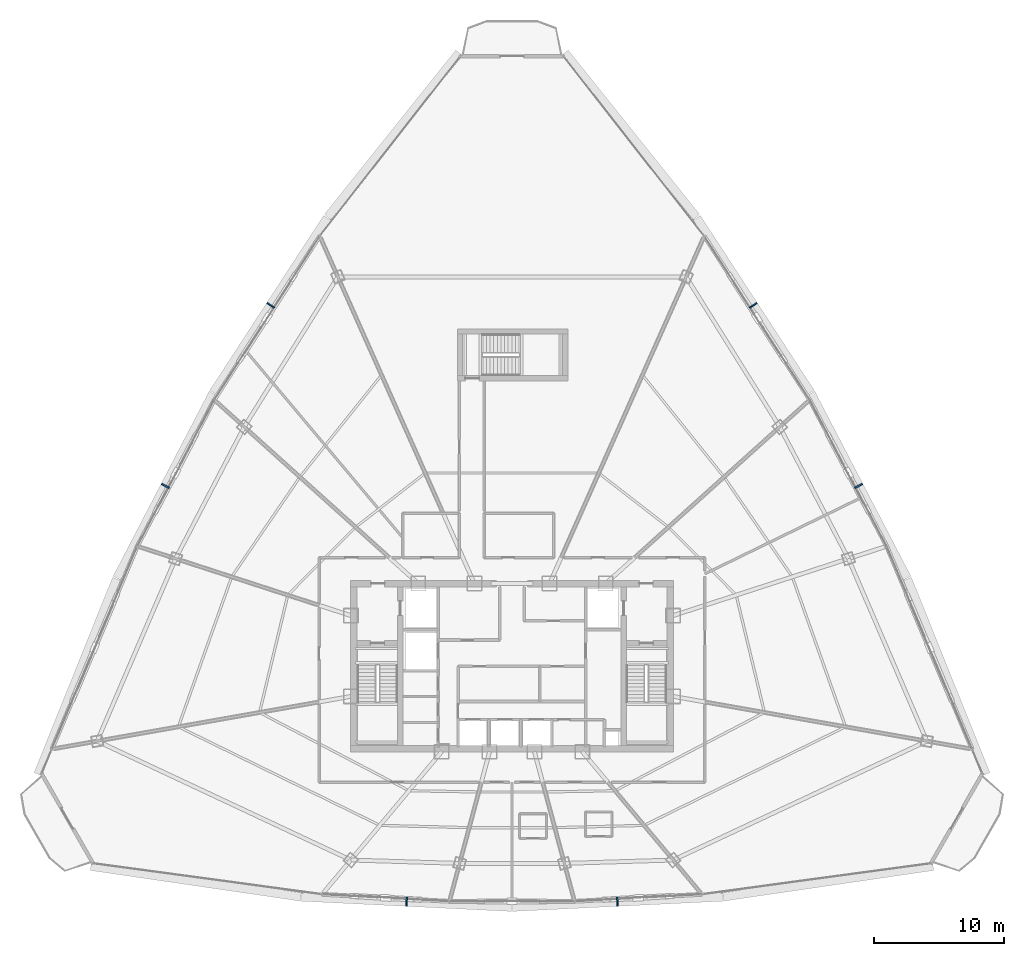
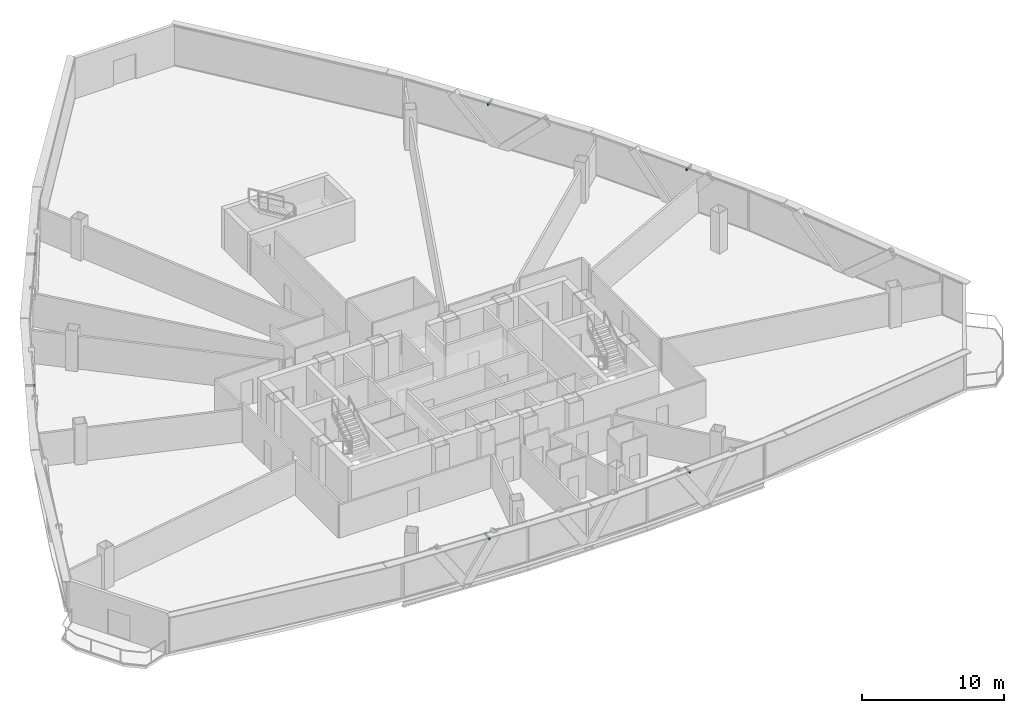
# One storey, part 30 of 34: 6 discrete accessories.
"""IFC4 building model written with IfcOpenShell, lengths in metres."""

from ifc_helpers import new_model, si_unit, direction, frame, origin, origin_2d, place, context, subcontext, project, spatial, rectangle, extrude, source, transform, mapped, material, type_object, element, save


model = new_model("IFC4")

# Units and contexts
model_context = context("Model", 3, precision=1e-05, world=origin(), true_north=direction((0.0, 1.0)))
body_context = subcontext(model_context, "Body", "Model", "MODEL_VIEW")
ifc_project = project(units=[si_unit("LENGTHUNIT", "METRE"), si_unit("AREAUNIT", "SQUARE_METRE"), si_unit("VOLUMEUNIT", "CUBIC_METRE"), si_unit("PLANEANGLEUNIT", "RADIAN"), si_unit("MASSUNIT", "GRAM", prefix="KILO"), si_unit("THERMODYNAMICTEMPERATUREUNIT", "KELVIN"), si_unit("POWERUNIT", "WATT")], contexts=[model_context])

# Site, building, storey
site_placement = place(None, origin())
site = spatial("IfcSite", under=ifc_project, at=site_placement, CompositionType="ELEMENT")
building_placement = place(site_placement, origin())
building = spatial("IfcBuilding", under=site, at=building_placement, Name="Yunzhuo Pagoda Commons", CompositionType="ELEMENT")
storey_placement = place(building_placement, frame((0.0, 0.0, 233.340087890625)))
storey = spatial("IfcBuildingStorey", under=building, at=storey_placement, Name="L58", CompositionType="ELEMENT", Elevation=233.340087890625)

# Discrete accessories
ifc_material = material(Name="Anodized aluminium 6063-T6", Category="aluminium")
discrete_accessory_type = type_object("IfcDiscreteAccessoryType", Name="BK-SUN1 Sunshade Outrigger Bracket", PredefinedType="BRACKET", material=ifc_material)
shared_shape = source(origin(), body_context, "Body", "SweptSolid", [
    extrude(rectangle(XDim=0.1201171875, YDim=0.679931640625, at=origin_2d()), origin(), (0.0, 0.0, 1.0), 0.179931640625),
])
for number, where, z_axis, x_axis, name in (
    (1, (39.888427734375, 15.71337890625, 3.259765625), (0.0, 0.0, 1.0), (0.998818043775, -0.04860571396, 0.0), "L58 sunshade outrigger bracket F1.2"),
    (2, (56.111572265625, 15.71337890625, 3.259765625), (0.0, 0.0, 1.0), (0.998818043775, 0.04860571396, 0.0), "L58 sunshade outrigger bracket F1.3"),
    (3, (74.686279296875, 47.717041015625, 3.259765625), (0.0, 0.0, 1.0), (-0.461206683033, 0.88729273384, 0.0), "L58 sunshade outrigger bracket F2.2"),
    (4, (66.57470703125, 61.61328125, 3.259765625), (0.0, 0.0, 1.0), (-0.545838756973, 0.837890238269, 0.0), "L58 sunshade outrigger bracket F2.3"),
    (5, (29.42529296875, 61.61328125, 3.259765625), (0.0, 0.0, 1.0), (-0.545838756973, -0.837890238269, 0.0), "L58 sunshade outrigger bracket F3.2"),
    (6, (21.313720703125, 47.717041015625, 3.259765625), (0.0, 0.0, 1.0), (-0.461206683033, -0.88729273384, 0.0), "L58 sunshade outrigger bracket F3.3"),
):
    element("IfcDiscreteAccessory", number, at=place(storey_placement, frame(where, z_axis=z_axis, x_axis=x_axis)), inside=storey, type_object=discrete_accessory_type, Name=name, PredefinedType="BRACKET", context=body_context, shape_type="MappedRepresentation", body=[
        mapped(shared_shape, transform((0.0, 0.0, 0.0), scale=1.0)),
    ])

save(model, "model.ifc")
